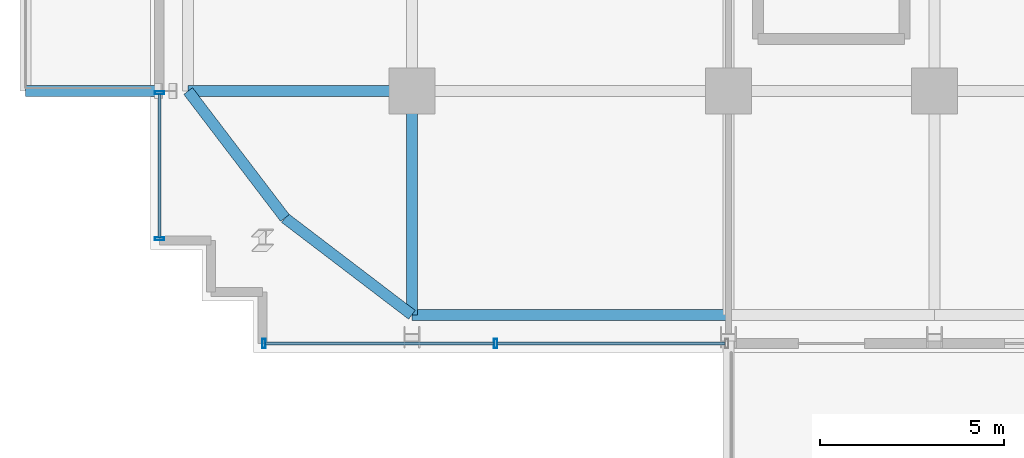
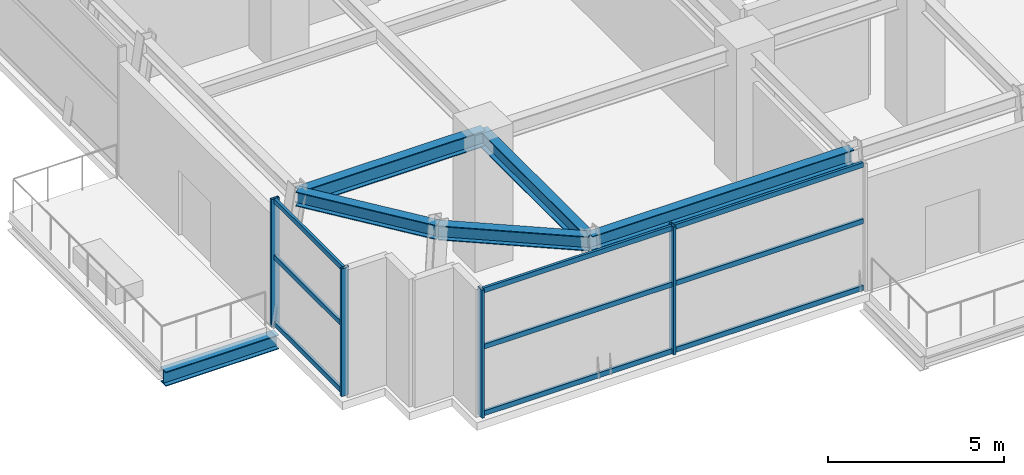
# One storey, part 2 of 26: 13 members, 6 beams, 2 elements without a shape of their own.
"""IFC4 building model written with IfcOpenShell, lengths in metres."""

from ifc_helpers import new_model, si_unit, direction, frame, origin, origin_2d, place, context, subcontext, project, spatial, hollow_rectangle, i_section, extrude, source, transform, mapped, material, material_profile, profile_set, type_object, element, aggregate, save


model = new_model("IFC4")

# Units and contexts
model_context = context("Model", 3, precision=1e-05, world=origin(), true_north=direction((0.0, 1.0)))
body_context = subcontext(model_context, "Body", "Model", "MODEL_VIEW")
ifc_project = project(units=[si_unit("LENGTHUNIT", "METRE"), si_unit("AREAUNIT", "SQUARE_METRE"), si_unit("VOLUMEUNIT", "CUBIC_METRE"), si_unit("PLANEANGLEUNIT", "RADIAN"), si_unit("MASSUNIT", "GRAM", prefix="KILO")], contexts=[model_context])

# Site, building, storey
site_placement = place(None, origin())
site = spatial("IfcSite", under=ifc_project, at=site_placement, CompositionType="ELEMENT")
building_placement = place(site_placement, origin())
building = spatial("IfcBuilding", under=site, at=building_placement, Name="Nahalor Promenade Grand Hotel", CompositionType="ELEMENT")
storey_placement = place(building_placement, frame((0.0, 0.0, 139.39990234375)))
storey = spatial("IfcBuildingStorey", under=building, at=storey_placement, Name="L35", CompositionType="ELEMENT", Elevation=139.39990234375)

# Beams
ifc_material_1 = material(Name="Steel S355JR", Category="steel")
ifc_material_profile_1 = material_profile(ifc_material_1, i_section(OverallWidth=0.3, OverallDepth=0.5, WebThickness=0.0145, FlangeThickness=0.028, at=origin_2d()), Name="HEB 500")
ifc_profile_set_1 = profile_set([ifc_material_profile_1], Name="Steel S355JR")
beam_type_1 = type_object("IfcBeamType", Name="Beam-Outrigger-HEB500", PredefinedType="BEAM", material=ifc_profile_set_1)
shared_shape_1 = source(origin(), body_context, "Body", "SweptSolid", [
    extrude(i_section(OverallWidth=0.3, OverallDepth=0.5, WebThickness=0.0145, FlangeThickness=0.028, at=origin_2d()), origin(), (0.0, 0.0, 1.0), 3.719970703125),
])
beam_1_placement = place(storey_placement, frame((-27.5, -17.0, -0.52978515625), z_axis=(1.0, 0.0, 0.0), x_axis=(0.0, 1.0, 0.0)))
element("IfcBeam", 1, at=beam_1_placement, inside=storey, type_object=beam_type_1, Name="BM-L35-BC-02-1", PredefinedType="BEAM", context=body_context, shape_type="MappedRepresentation", body=[
    mapped(shared_shape_1, transform((0.0, 0.0, 0.0), scale=1.0)),
])
ifc_material_profile_2 = material_profile(ifc_material_1, i_section(OverallWidth=0.3, OverallDepth=0.5, WebThickness=0.0145, FlangeThickness=0.028, at=origin_2d()), Name="HEB 500")
ifc_profile_set_2 = profile_set([ifc_material_profile_2], Name="Steel S355JR")
beam_type_2 = type_object("IfcBeamType", Name="Beam-Spandrel-HEB500", PredefinedType="SPANDREL", material=ifc_profile_set_2)
shared_shape_2 = source(origin(), body_context, "Body", "SweptSolid", [
    extrude(i_section(OverallWidth=0.3, OverallDepth=0.5, WebThickness=0.0145, FlangeThickness=0.028, at=origin_2d()), origin(), (0.0, 0.0, 1.0), 8.60009765625),
])
beam_2_placement = place(storey_placement, frame((-17.0, -23.080078125, 4.190185546875), z_axis=(1.0, 0.0, 0.0), x_axis=(0.0, 1.0, 0.0)))
element("IfcBeam", 2, at=beam_2_placement, inside=storey, type_object=beam_type_2, Name="BM-L35-SP-S-0", PredefinedType="SPANDREL", context=body_context, shape_type="MappedRepresentation", body=[
    mapped(shared_shape_2, transform((0.0, 0.0, 0.0), scale=1.0)),
])
ifc_material_profile_3 = material_profile(ifc_material_1, i_section(OverallWidth=0.3, OverallDepth=0.55, WebThickness=0.015, FlangeThickness=0.029, at=origin_2d()), Name="HEB 550")
ifc_profile_set_3 = profile_set([ifc_material_profile_3], Name="Steel S355JR")
beam_type_3 = type_object("IfcBeamType", Name="Beam-Girder-HEB550", PredefinedType="BEAM", material=ifc_profile_set_3)
shared_shape_3 = source(origin(), body_context, "Body", "SweptSolid", [
    extrude(i_section(OverallWidth=0.3, OverallDepth=0.55, WebThickness=0.015, FlangeThickness=0.029, at=origin_2d()), origin(), (0.0, 0.0, 1.0), 6.080078125),
])
for number, where, z_axis, x_axis, name in (
    (3, (-23.080078125, -17.0, 4.1650390625), (1.0, 0.0, 0.0), (0.0, 1.0, 0.0), "BM-L35-GX-0-0"),
    (4, (-17.0, -23.080078125, 4.1650390625), (0.0, 1.0, 0.0), (-1.0, 0.0, 0.0), "BM-L35-GY-0-0"),
):
    element("IfcBeam", number, at=place(storey_placement, frame(where, z_axis=z_axis, x_axis=x_axis)), inside=storey, type_object=beam_type_3, Name=name, PredefinedType="BEAM", context=body_context, shape_type="MappedRepresentation", body=[
        mapped(shared_shape_3, transform((0.0, 0.0, 0.0), scale=1.0)),
    ])
shared_shape_4 = source(origin(), body_context, "Body", "SweptSolid", [
    extrude(i_section(OverallWidth=0.3, OverallDepth=0.5, WebThickness=0.0145, FlangeThickness=0.028, at=origin_2d()), origin(), (0.0, 0.0, 1.0), 4.338134765625),
])
for number, where, z_axis, x_axis, name in (
    (5, (-17.0, -23.080078125, 4.190185546875), (-0.795254699214, 0.606275484724, 0.0), (-0.606275484724, -0.795254699214, 0.0), "BM-L35-SPC-SW-1"),
    (6, (-20.449951171875, -20.449951171875, 4.190185546875), (-0.606275484724, 0.795254699214, 0.0), (-0.795254699214, -0.606275484724, 0.0), "BM-L35-SPC-SW-2"),
):
    element("IfcBeam", number, at=place(storey_placement, frame(where, z_axis=z_axis, x_axis=x_axis)), inside=storey, type_object=beam_type_2, Name=name, PredefinedType="SPANDREL", context=body_context, shape_type="MappedRepresentation", body=[
        mapped(shared_shape_4, transform((0.0, 0.0, 0.0), scale=1.0)),
    ])

# Curtain wall, members
ifc_material_2 = material(Name="Anodised Bronze Aluminium EN AW-6063 T6", Category="aluminium")
curtain_wall_type = type_object("IfcCurtainWallType", Name="CW5 Sky-Lobby & Observation Panoramic Curtain Wall", PredefinedType="USERDEFINED", material=ifc_material_2)
curtain_wall_1_placement = place(storey_placement, origin())
curtain_wall_1 = element("IfcCurtainWall", 7, at=curtain_wall_1_placement, inside=storey, type_object=curtain_wall_type, Name="L35 Curtain Wall CW-L35-S-1", ObjectType="UNITISED_CURTAIN_WALL", PredefinedType="USERDEFINED")
ifc_material_profile_4 = material_profile(ifc_material_2, hollow_rectangle(XDim=0.085, YDim=0.25, WallThickness=0.006, at=origin_2d()), Name="CWM 85x250x6")
ifc_profile_set_4 = profile_set([ifc_material_profile_4], Name="Anodised Bronze Aluminium EN AW-6063 T6")
member_type_1 = type_object("IfcMemberType", Name="CWM5 Panoramic Deep Mullion 85x250", PredefinedType="MULLION", material=ifc_profile_set_4)
shared_shape_5 = source(origin(), body_context, "Body", "SweptSolid", [
    extrude(hollow_rectangle(XDim=0.085, YDim=0.25, WallThickness=0.006, at=origin_2d()), origin(), (0.0, 0.0, 1.0), 4.440185546875),
])
member_1_placement = place(storey_placement, frame((-21.017578125, -23.860107421875, 0.0), z_axis=(0.0, 0.0, 1.0), x_axis=(1.0, 0.0, 0.0)))
member_1 = element("IfcMember", 8, at=member_1_placement, type_object=member_type_1, Name="CW-L35-S-1 Mullion 0", PredefinedType="MULLION", context=body_context, shape_type="MappedRepresentation", body=[
    mapped(shared_shape_5, transform((0.0, 0.0, 0.0), scale=1.0)),
])
member_2_placement = place(storey_placement, frame((-14.72998046875, -23.860107421875, 0.0), z_axis=(0.0, 0.0, 1.0), x_axis=(1.0, 0.0, 0.0)))
member_2 = element("IfcMember", 9, at=member_2_placement, type_object=member_type_1, Name="CW-L35-S-1 Mullion 1", PredefinedType="MULLION", context=body_context, shape_type="MappedRepresentation", body=[
    mapped(shared_shape_5, transform((0.0, 0.0, 0.0), scale=1.0)),
])

curtain_wall_2_placement = place(storey_placement, origin())
curtain_wall_2 = element("IfcCurtainWall", 10, at=curtain_wall_2_placement, inside=storey, type_object=curtain_wall_type, Name="L35 Curtain Wall CW-L35-W-1", ObjectType="UNITISED_CURTAIN_WALL", PredefinedType="USERDEFINED")
member_3_placement = place(storey_placement, frame((-23.860107421875, -21.017578125, 0.0), z_axis=(0.0, 0.0, 1.0), x_axis=(0.0, 1.0, 0.0)))
member_3 = element("IfcMember", 11, at=member_3_placement, type_object=member_type_1, Name="CW-L35-W-1 Mullion 0", PredefinedType="MULLION", context=body_context, shape_type="MappedRepresentation", body=[
    mapped(shared_shape_5, transform((0.0, 0.0, 0.0), scale=1.0)),
])
member_4_placement = place(storey_placement, frame((-23.860107421875, -17.04248046875, 0.0), z_axis=(0.0, 0.0, 1.0), x_axis=(0.0, 1.0, 0.0)))
member_4 = element("IfcMember", 12, at=member_4_placement, type_object=member_type_1, Name="CW-L35-W-1 Mullion 1", PredefinedType="MULLION", context=body_context, shape_type="MappedRepresentation", body=[
    mapped(shared_shape_5, transform((0.0, 0.0, 0.0), scale=1.0)),
])

# Member
ifc_material_profile_5 = material_profile(ifc_material_2, hollow_rectangle(XDim=0.085, YDim=0.17, WallThickness=0.005, at=origin_2d()), Name="CWT 85x170x5")
ifc_profile_set_5 = profile_set([ifc_material_profile_5], Name="Anodised Bronze Aluminium EN AW-6063 T6")
member_type_2 = type_object("IfcMemberType", Name="CWT5 Panoramic Transom 85x170", PredefinedType="USERDEFINED", material=ifc_profile_set_5)
shared_shape_6 = source(origin(), body_context, "Body", "SweptSolid", [
    extrude(hollow_rectangle(XDim=0.085, YDim=0.17, WallThickness=0.005, at=origin_2d()), origin(), (0.0, 0.0, 1.0), 6.20263671875),
])
member_5_placement = place(storey_placement, frame((-20.97509765625, -23.860107421875, 0.085205078125), z_axis=(1.0, 0.0, 0.0), x_axis=(0.0, 1.0, 0.0)))
member_5 = element("IfcMember", 13, at=member_5_placement, type_object=member_type_2, Name="CW-L35-S-1 Transom 0-0", ObjectType="TRANSOM", PredefinedType="USERDEFINED", context=body_context, shape_type="MappedRepresentation", body=[
    mapped(shared_shape_6, transform((0.0, 0.0, 0.0), scale=1.0)),
])

member_6_placement = place(storey_placement, frame((-20.97509765625, -23.860107421875, 2.400146484375), z_axis=(1.0, 0.0, 0.0), x_axis=(0.0, 1.0, 0.0)))
member_6 = element("IfcMember", 14, at=member_6_placement, type_object=member_type_2, Name="CW-L35-S-1 Transom 0-1", ObjectType="TRANSOM", PredefinedType="USERDEFINED", context=body_context, shape_type="MappedRepresentation", body=[
    mapped(shared_shape_6, transform((0.0, 0.0, 0.0), scale=1.0)),
])

member_7_placement = place(storey_placement, frame((-20.97509765625, -23.860107421875, 4.35498046875), z_axis=(1.0, 0.0, 0.0), x_axis=(0.0, 1.0, 0.0)))
member_7 = element("IfcMember", 15, at=member_7_placement, type_object=member_type_2, Name="CW-L35-S-1 Transom 0-2", ObjectType="TRANSOM", PredefinedType="USERDEFINED", context=body_context, shape_type="MappedRepresentation", body=[
    mapped(shared_shape_6, transform((0.0, 0.0, 0.0), scale=1.0)),
])

shared_shape_7 = source(origin(), body_context, "Body", "SweptSolid", [
    extrude(hollow_rectangle(XDim=0.085, YDim=0.17, WallThickness=0.005, at=origin_2d()), origin(), (0.0, 0.0, 1.0), 6.202392578125),
])
member_8_placement = place(storey_placement, frame((-14.6875, -23.860107421875, 0.085205078125), z_axis=(1.0, 0.0, 0.0), x_axis=(0.0, 1.0, 0.0)))
member_8 = element("IfcMember", 16, at=member_8_placement, type_object=member_type_2, Name="CW-L35-S-1 Transom 1-0", ObjectType="TRANSOM", PredefinedType="USERDEFINED", context=body_context, shape_type="MappedRepresentation", body=[
    mapped(shared_shape_7, transform((0.0, 0.0, 0.0), scale=1.0)),
])

member_9_placement = place(storey_placement, frame((-14.6875, -23.860107421875, 2.400146484375), z_axis=(1.0, 0.0, 0.0), x_axis=(0.0, 1.0, 0.0)))
member_9 = element("IfcMember", 17, at=member_9_placement, type_object=member_type_2, Name="CW-L35-S-1 Transom 1-1", ObjectType="TRANSOM", PredefinedType="USERDEFINED", context=body_context, shape_type="MappedRepresentation", body=[
    mapped(shared_shape_7, transform((0.0, 0.0, 0.0), scale=1.0)),
])

member_10_placement = place(storey_placement, frame((-14.6875, -23.860107421875, 4.35498046875), z_axis=(1.0, 0.0, 0.0), x_axis=(0.0, 1.0, 0.0)))
member_10 = element("IfcMember", 18, at=member_10_placement, type_object=member_type_2, Name="CW-L35-S-1 Transom 1-2", ObjectType="TRANSOM", PredefinedType="USERDEFINED", context=body_context, shape_type="MappedRepresentation", body=[
    mapped(shared_shape_7, transform((0.0, 0.0, 0.0), scale=1.0)),
])

aggregate(curtain_wall_1, [member_1, member_2, member_5, member_6, member_7, member_8, member_9, member_10])

shared_shape_8 = source(origin(), body_context, "Body", "SweptSolid", [
    extrude(hollow_rectangle(XDim=0.085, YDim=0.17, WallThickness=0.005, at=origin_2d()), origin(), (0.0, 0.0, 1.0), 3.89013671875),
])
member_11_placement = place(storey_placement, frame((-23.860107421875, -20.97509765625, 0.085205078125), z_axis=(0.0, 1.0, 0.0), x_axis=(-1.0, 0.0, 0.0)))
member_11 = element("IfcMember", 19, at=member_11_placement, type_object=member_type_2, Name="CW-L35-W-1 Transom 0-0", ObjectType="TRANSOM", PredefinedType="USERDEFINED", context=body_context, shape_type="MappedRepresentation", body=[
    mapped(shared_shape_8, transform((0.0, 0.0, 0.0), scale=1.0)),
])

member_12_placement = place(storey_placement, frame((-23.860107421875, -20.97509765625, 2.400146484375), z_axis=(0.0, 1.0, 0.0), x_axis=(-1.0, 0.0, 0.0)))
member_12 = element("IfcMember", 20, at=member_12_placement, type_object=member_type_2, Name="CW-L35-W-1 Transom 0-1", ObjectType="TRANSOM", PredefinedType="USERDEFINED", context=body_context, shape_type="MappedRepresentation", body=[
    mapped(shared_shape_8, transform((0.0, 0.0, 0.0), scale=1.0)),
])

member_13_placement = place(storey_placement, frame((-23.860107421875, -20.97509765625, 4.35498046875), z_axis=(0.0, 1.0, 0.0), x_axis=(-1.0, 0.0, 0.0)))
member_13 = element("IfcMember", 21, at=member_13_placement, type_object=member_type_2, Name="CW-L35-W-1 Transom 0-2", ObjectType="TRANSOM", PredefinedType="USERDEFINED", context=body_context, shape_type="MappedRepresentation", body=[
    mapped(shared_shape_8, transform((0.0, 0.0, 0.0), scale=1.0)),
])

aggregate(curtain_wall_2, [member_3, member_4, member_11, member_12, member_13])

save(model, "model.ifc")
